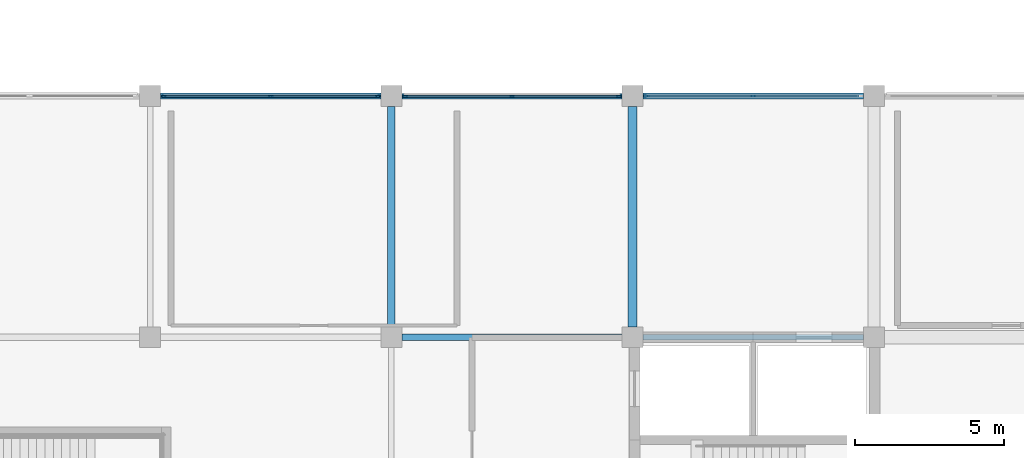
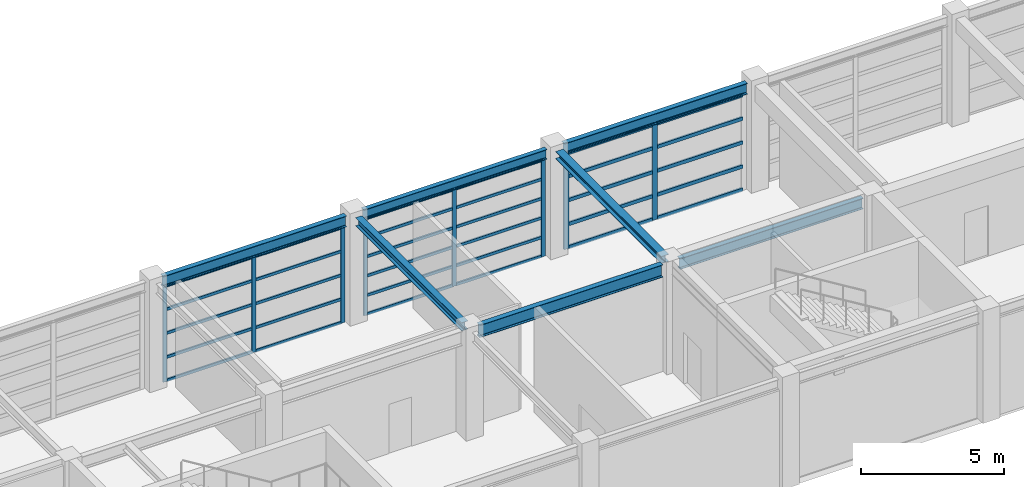
# One storey, part 28 of 58: 40 members, 7 beams, 3 elements without a shape of their own.
"""IFC4 building model written with IfcOpenShell, lengths in metres."""

from ifc_helpers import new_model, si_unit, direction, frame, origin, origin_2d, place, context, subcontext, project, spatial, rectangle, i_section, extrude, material, material_profile, profile_set, type_object, element, aggregate, save


model = new_model("IFC4")

# Units and contexts
model_context = context("Model", 3, precision=1e-05, world=origin(), true_north=direction((0.0, 1.0)))
body_context = subcontext(model_context, "Body", "Model", "MODEL_VIEW")
ifc_project = project(units=[si_unit("LENGTHUNIT", "METRE"), si_unit("AREAUNIT", "SQUARE_METRE"), si_unit("VOLUMEUNIT", "CUBIC_METRE"), si_unit("PLANEANGLEUNIT", "RADIAN"), si_unit("MASSUNIT", "GRAM", prefix="KILO")], contexts=[model_context])

# Site, building, storey
site_placement = place(None, origin())
site = spatial("IfcSite", under=ifc_project, at=site_placement, CompositionType="ELEMENT")
building_placement = place(site_placement, origin())
building = spatial("IfcBuilding", under=site, at=building_placement, Name="Parian Resonance Hall", CompositionType="ELEMENT")
storey_placement = place(building_placement, frame((0.0, 0.0, 10.199951171875)))
storey = spatial("IfcBuildingStorey", under=building, at=storey_placement, Name="L02", CompositionType="ELEMENT", Elevation=10.199951171875)

# Beams
ifc_material_1 = material(Name="Steel S355", Category="steel")
ifc_material_profile_1 = material_profile(ifc_material_1, i_section(OverallWidth=0.304931640625, OverallDepth=0.30810546875, WebThickness=0.010009765625, FlangeThickness=0.015380859375, FilletRadius=0.01513671875, at=origin_2d()), Name="W310x97")
ifc_profile_set_1 = profile_set([ifc_material_profile_1], Name="Steel S355")
beam_type_1 = type_object("IfcBeamType", Name="BM-W310x97", PredefinedType="BEAM", material=ifc_profile_set_1)
beam_1_placement = place(storey_placement, frame((56.699951171875, 81.35009765625, 4.406005859375), z_axis=(0.0, 1.0, 0.0), x_axis=(-1.0, 0.0, 0.0)))
element("IfcBeam", 1, at=beam_1_placement, inside=storey, type_object=beam_type_1, Name="GY-L02-0756", PredefinedType="BEAM", context=body_context, shape_type="SweptSolid", body=[
    extrude(i_section(OverallWidth=0.304931640625, OverallDepth=0.30810546875, WebThickness=0.010009765625, FlangeThickness=0.015380859375, FilletRadius=0.01513671875, at=origin_2d()), origin(), (0.0, 0.0, 1.0), 7.39990234375),
])
ifc_material_2 = material(Name="Steel S355", Category="steel")
ifc_material_profile_2 = material_profile(ifc_material_2, i_section(OverallWidth=0.2548828125, OverallDepth=0.35693359375, WebThickness=0.010498046875, FlangeThickness=0.018310546875, FilletRadius=0.01513671875, at=origin_2d()), Name="W360x101")
ifc_profile_set_2 = profile_set([ifc_material_profile_2], Name="Steel S355")
beam_type_2 = type_object("IfcBeamType", Name="BM-W360x101", PredefinedType="SPANDREL", material=ifc_profile_set_2)
beam_2_placement = place(storey_placement, frame((48.60009765625, 81.35009765625, 4.381591796875), z_axis=(0.0, 1.0, 0.0), x_axis=(-1.0, 0.0, 0.0)))
element("IfcBeam", 2, at=beam_2_placement, inside=storey, type_object=beam_type_2, Name="GY-L02-0754", PredefinedType="SPANDREL", context=body_context, shape_type="SweptSolid", body=[
    extrude(i_section(OverallWidth=0.2548828125, OverallDepth=0.35693359375, WebThickness=0.010498046875, FlangeThickness=0.018310546875, FilletRadius=0.01513671875, at=origin_2d()), origin(), (0.0, 0.0, 1.0), 7.39990234375),
])
ifc_material_3 = material(Name="Steel S355", Category="steel")
ifc_material_profile_3 = material_profile(ifc_material_3, i_section(OverallWidth=0.180908203125, OverallDepth=0.4169921875, WebThickness=0.010986328125, FlangeThickness=0.018310546875, FilletRadius=0.01513671875, at=origin_2d()), Name="W410x85")
ifc_profile_set_3 = profile_set([ifc_material_profile_3], Name="Steel S355")
beam_type_3 = type_object("IfcBeamType", Name="BM-W410x85", PredefinedType="SPANDREL", material=ifc_profile_set_3)
beam_3_placement = place(storey_placement, frame((48.949951171875, 89.10009765625, 4.3515625), z_axis=(1.0, 0.0, 0.0), x_axis=(0.0, 1.0, 0.0)))
element("IfcBeam", 3, at=beam_3_placement, inside=storey, type_object=beam_type_3, Name="GX-L02-0676", PredefinedType="SPANDREL", context=body_context, shape_type="SweptSolid", body=[
    extrude(i_section(OverallWidth=0.180908203125, OverallDepth=0.4169921875, WebThickness=0.010986328125, FlangeThickness=0.018310546875, FilletRadius=0.01513671875, at=origin_2d()), origin(), (0.0, 0.0, 1.0), 7.400146484375),
])
ifc_material_4 = material(Name="Steel S355", Category="steel")
ifc_material_profile_4 = material_profile(ifc_material_4, i_section(OverallWidth=0.194091796875, OverallDepth=0.468994140625, WebThickness=0.0126953125, FlangeThickness=0.0205078125, FilletRadius=0.01513671875, at=origin_2d()), Name="W460x106")
ifc_profile_set_4 = profile_set([ifc_material_profile_4], Name="Steel S355")
beam_type_4 = type_object("IfcBeamType", Name="BM-W460x106", PredefinedType="SPANDREL", material=ifc_profile_set_4)
for number, where, z_axis, x_axis, name in (
    (4, (40.85009765625, 89.10009765625, 4.325439453125), (1.0, 0.0, 0.0), (0.0, 1.0, 0.0), "GX-L02-0673"),
    (5, (57.050048828125, 89.10009765625, 4.325439453125), (1.0, 0.0, 0.0), (0.0, 1.0, 0.0), "GX-L02-0679"),
):
    element("IfcBeam", number, at=place(storey_placement, frame(where, z_axis=z_axis, x_axis=x_axis)), inside=storey, type_object=beam_type_4, Name=name, PredefinedType="SPANDREL", context=body_context, shape_type="SweptSolid", body=[
        extrude(i_section(OverallWidth=0.194091796875, OverallDepth=0.468994140625, WebThickness=0.0126953125, FlangeThickness=0.0205078125, FilletRadius=0.01513671875, at=origin_2d()), origin(), (0.0, 0.0, 1.0), 7.39990234375),
    ])
ifc_material_5 = material(Name="Steel S355", Category="steel")
ifc_material_profile_5 = material_profile(ifc_material_5, i_section(OverallWidth=0.19091796875, OverallDepth=0.4599609375, WebThickness=0.010009765625, FlangeThickness=0.01611328125, FilletRadius=0.01513671875, at=origin_2d()), Name="W460x82")
ifc_profile_set_5 = profile_set([ifc_material_profile_5], Name="Steel S355")
beam_type_5 = type_object("IfcBeamType", Name="BM-W460x82", PredefinedType="BEAM", material=ifc_profile_set_5)
beam_4_placement = place(storey_placement, frame((57.050048828125, 81.0, 4.330078125), z_axis=(1.0, 0.0, 0.0), x_axis=(0.0, 1.0, 0.0)))
element("IfcBeam", 6, at=beam_4_placement, inside=storey, type_object=beam_type_5, Name="GX-L02-0678", PredefinedType="BEAM", context=body_context, shape_type="SweptSolid", body=[
    extrude(i_section(OverallWidth=0.19091796875, OverallDepth=0.4599609375, WebThickness=0.010009765625, FlangeThickness=0.01611328125, FilletRadius=0.01513671875, at=origin_2d()), origin(), (0.0, 0.0, 1.0), 7.39990234375),
])
ifc_material_6 = material(Name="Steel S355", Category="steel")
ifc_material_profile_6 = material_profile(ifc_material_6, i_section(OverallWidth=0.208984375, OverallDepth=0.532958984375, WebThickness=0.01025390625, FlangeThickness=0.015625, FilletRadius=0.017822265625, at=origin_2d()), Name="W530x92")
ifc_profile_set_6 = profile_set([ifc_material_profile_6], Name="Steel S355")
beam_type_6 = type_object("IfcBeamType", Name="BM-W530x92", PredefinedType="BEAM", material=ifc_profile_set_6)
beam_5_placement = place(storey_placement, frame((48.949951171875, 81.0, 4.29345703125), z_axis=(1.0, 0.0, 0.0), x_axis=(0.0, 1.0, 0.0)))
element("IfcBeam", 7, at=beam_5_placement, inside=storey, type_object=beam_type_6, Name="GX-L02-0675", PredefinedType="BEAM", context=body_context, shape_type="SweptSolid", body=[
    extrude(i_section(OverallWidth=0.208984375, OverallDepth=0.532958984375, WebThickness=0.01025390625, FlangeThickness=0.015625, FilletRadius=0.017822265625, at=origin_2d()), origin(), (0.0, 0.0, 1.0), 7.400146484375),
])

# Curtain wall, members
ifc_material_7 = material(Name="Bronze-anodised aluminium frame", Category="aluminium")
curtain_wall_type_1 = type_object("IfcCurtainWallType", Name="CW-SYS-01", PredefinedType="NOTDEFINED", material=ifc_material_7)
curtain_wall_1_placement = place(storey_placement, origin())
curtain_wall_1 = element("IfcCurtainWall", 8, at=curtain_wall_1_placement, inside=storey, type_object=curtain_wall_type_1, Name="Curtain wall CW-L02-081", PredefinedType="NOTDEFINED")
ifc_material_8 = material(Name="Bronze-anodised aluminium frame", Category="aluminium")
ifc_material_profile_7 = material_profile(ifc_material_8, rectangle(XDim=0.06494140625, YDim=0.159912109375, at=origin_2d()), Name="CWM-65x160")
ifc_profile_set_7 = profile_set([ifc_material_profile_7], Name="Bronze-anodised aluminium frame")
member_type_1 = type_object("IfcMemberType", Name="CWM-65x160", PredefinedType="MULLION", material=ifc_profile_set_7)
member_1_placement = place(storey_placement, frame((40.96240234375, 89.10009765625, -0.008056640625), z_axis=(0.0, 0.0, 1.0), x_axis=(0.0, 1.0, 0.0)))
member_1 = element("IfcMember", 9, at=member_1_placement, type_object=member_type_1, Name="CW-01 mullion 1", PredefinedType="MULLION", context=body_context, shape_type="SweptSolid", body=[
    extrude(rectangle(XDim=0.06494140625, YDim=0.159912109375, at=origin_2d()), origin(), (0.0, 0.0, 1.0), 4.10302734375),
])
member_2_placement = place(storey_placement, frame((44.550048828125, 89.10009765625, -0.008056640625), z_axis=(0.0, 0.0, 1.0), x_axis=(0.0, 1.0, 0.0)))
member_2 = element("IfcMember", 10, at=member_2_placement, type_object=member_type_1, Name="CW-01 mullion 2", PredefinedType="MULLION", context=body_context, shape_type="SweptSolid", body=[
    extrude(rectangle(XDim=0.06494140625, YDim=0.159912109375, at=origin_2d()), origin(), (0.0, 0.0, 1.0), 4.10302734375),
])
member_3_placement = place(storey_placement, frame((48.137451171875, 89.10009765625, -0.008056640625), z_axis=(0.0, 0.0, 1.0), x_axis=(0.0, 1.0, 0.0)))
member_3 = element("IfcMember", 11, at=member_3_placement, type_object=member_type_1, Name="CW-01 mullion 3", PredefinedType="MULLION", context=body_context, shape_type="SweptSolid", body=[
    extrude(rectangle(XDim=0.06494140625, YDim=0.159912109375, at=origin_2d()), origin(), (0.0, 0.0, 1.0), 4.10302734375),
])

ifc_material_9 = material(Name="Bronze-anodised aluminium frame", Category="aluminium")
curtain_wall_type_2 = type_object("IfcCurtainWallType", Name="CW-SYS-02", PredefinedType="NOTDEFINED", material=ifc_material_9)
curtain_wall_2_placement = place(storey_placement, origin())
curtain_wall_2 = element("IfcCurtainWall", 12, at=curtain_wall_2_placement, inside=storey, type_object=curtain_wall_type_2, Name="Curtain wall CW-L02-085", PredefinedType="NOTDEFINED")
member_4_placement = place(storey_placement, frame((49.0625, 89.10009765625, -0.008056640625), z_axis=(0.0, 0.0, 1.0), x_axis=(0.0, 1.0, 0.0)))
member_4 = element("IfcMember", 13, at=member_4_placement, type_object=member_type_1, Name="CW-02 mullion 1", PredefinedType="MULLION", context=body_context, shape_type="SweptSolid", body=[
    extrude(rectangle(XDim=0.06494140625, YDim=0.159912109375, at=origin_2d()), origin(), (0.0, 0.0, 1.0), 4.155029296875),
])
member_5_placement = place(storey_placement, frame((52.64990234375, 89.10009765625, -0.008056640625), z_axis=(0.0, 0.0, 1.0), x_axis=(0.0, 1.0, 0.0)))
member_5 = element("IfcMember", 14, at=member_5_placement, type_object=member_type_1, Name="CW-02 mullion 2", PredefinedType="MULLION", context=body_context, shape_type="SweptSolid", body=[
    extrude(rectangle(XDim=0.06494140625, YDim=0.159912109375, at=origin_2d()), origin(), (0.0, 0.0, 1.0), 4.155029296875),
])
member_6_placement = place(storey_placement, frame((56.237548828125, 89.10009765625, -0.008056640625), z_axis=(0.0, 0.0, 1.0), x_axis=(0.0, 1.0, 0.0)))
member_6 = element("IfcMember", 15, at=member_6_placement, type_object=member_type_1, Name="CW-02 mullion 3", PredefinedType="MULLION", context=body_context, shape_type="SweptSolid", body=[
    extrude(rectangle(XDim=0.06494140625, YDim=0.159912109375, at=origin_2d()), origin(), (0.0, 0.0, 1.0), 4.155029296875),
])

ifc_material_10 = material(Name="Bronze-anodised aluminium frame", Category="aluminium")
curtain_wall_type_3 = type_object("IfcCurtainWallType", Name="CW-SYS-03", PredefinedType="NOTDEFINED", material=ifc_material_10)
curtain_wall_3_placement = place(storey_placement, origin())
curtain_wall_3 = element("IfcCurtainWall", 16, at=curtain_wall_3_placement, inside=storey, type_object=curtain_wall_type_3, Name="Curtain wall CW-L02-088", PredefinedType="NOTDEFINED")
ifc_material_11 = material(Name="Bronze-anodised aluminium frame", Category="aluminium")
ifc_material_profile_8 = material_profile(ifc_material_11, rectangle(XDim=0.074951171875, YDim=0.199951171875, at=origin_2d()), Name="CWM-75x200")
ifc_profile_set_8 = profile_set([ifc_material_profile_8], Name="Bronze-anodised aluminium frame")
member_type_2 = type_object("IfcMemberType", Name="CWM-75x200", PredefinedType="MULLION", material=ifc_profile_set_8)
member_7_placement = place(storey_placement, frame((57.16748046875, 89.10009765625, -0.008056640625), z_axis=(0.0, 0.0, 1.0), x_axis=(0.0, 1.0, 0.0)))
member_7 = element("IfcMember", 17, at=member_7_placement, type_object=member_type_2, Name="CW-03 mullion 1", PredefinedType="MULLION", context=body_context, shape_type="SweptSolid", body=[
    extrude(rectangle(XDim=0.074951171875, YDim=0.199951171875, at=origin_2d()), origin(), (0.0, 0.0, 1.0), 4.10302734375),
])
member_8_placement = place(storey_placement, frame((60.75, 89.10009765625, -0.008056640625), z_axis=(0.0, 0.0, 1.0), x_axis=(0.0, 1.0, 0.0)))
member_8 = element("IfcMember", 18, at=member_8_placement, type_object=member_type_2, Name="CW-03 mullion 2", PredefinedType="MULLION", context=body_context, shape_type="SweptSolid", body=[
    extrude(rectangle(XDim=0.074951171875, YDim=0.199951171875, at=origin_2d()), origin(), (0.0, 0.0, 1.0), 4.10302734375),
])

# Member
ifc_material_12 = material(Name="Bronze-anodised aluminium frame", Category="aluminium")
ifc_material_profile_9 = material_profile(ifc_material_12, rectangle(XDim=0.06494140625, YDim=0.1201171875, at=origin_2d()), Name="CWT-65x120")
ifc_profile_set_9 = profile_set([ifc_material_profile_9], Name="Bronze-anodised aluminium frame")
member_type_3 = type_object("IfcMemberType", Name="CWT-65x120", PredefinedType="USERDEFINED", material=ifc_profile_set_9)
member_9_placement = place(storey_placement, frame((40.9951171875, 89.10009765625, 0.024658203125), z_axis=(1.0, 0.0, 0.0), x_axis=(0.0, 1.0, 0.0)))
member_9 = element("IfcMember", 19, at=member_9_placement, type_object=member_type_3, Name="CW-01 transom 1.1", ObjectType="TRANSOM", PredefinedType="USERDEFINED", context=body_context, shape_type="SweptSolid", body=[
    extrude(rectangle(XDim=0.06494140625, YDim=0.1201171875, at=origin_2d()), origin(), (0.0, 0.0, 1.0), 3.5224609375),
])

member_10_placement = place(storey_placement, frame((40.9951171875, 89.10009765625, 1.021240234375), z_axis=(1.0, 0.0, 0.0), x_axis=(0.0, 1.0, 0.0)))
member_10 = element("IfcMember", 20, at=member_10_placement, type_object=member_type_3, Name="CW-01 transom 1.2", ObjectType="TRANSOM", PredefinedType="USERDEFINED", context=body_context, shape_type="SweptSolid", body=[
    extrude(rectangle(XDim=0.06494140625, YDim=0.1201171875, at=origin_2d()), origin(), (0.0, 0.0, 1.0), 3.5224609375),
])

member_11_placement = place(storey_placement, frame((40.9951171875, 89.10009765625, 2.04248046875), z_axis=(1.0, 0.0, 0.0), x_axis=(0.0, 1.0, 0.0)))
member_11 = element("IfcMember", 21, at=member_11_placement, type_object=member_type_3, Name="CW-01 transom 1.3", ObjectType="TRANSOM", PredefinedType="USERDEFINED", context=body_context, shape_type="SweptSolid", body=[
    extrude(rectangle(XDim=0.06494140625, YDim=0.1201171875, at=origin_2d()), origin(), (0.0, 0.0, 1.0), 3.5224609375),
])

member_12_placement = place(storey_placement, frame((40.9951171875, 89.10009765625, 3.063720703125), z_axis=(1.0, 0.0, 0.0), x_axis=(0.0, 1.0, 0.0)))
member_12 = element("IfcMember", 22, at=member_12_placement, type_object=member_type_3, Name="CW-01 transom 1.4", ObjectType="TRANSOM", PredefinedType="USERDEFINED", context=body_context, shape_type="SweptSolid", body=[
    extrude(rectangle(XDim=0.06494140625, YDim=0.1201171875, at=origin_2d()), origin(), (0.0, 0.0, 1.0), 3.5224609375),
])

member_13_placement = place(storey_placement, frame((40.9951171875, 89.10009765625, 4.0625), z_axis=(1.0, 0.0, 0.0), x_axis=(0.0, 1.0, 0.0)))
member_13 = element("IfcMember", 23, at=member_13_placement, type_object=member_type_3, Name="CW-01 transom 1.5", ObjectType="TRANSOM", PredefinedType="USERDEFINED", context=body_context, shape_type="SweptSolid", body=[
    extrude(rectangle(XDim=0.06494140625, YDim=0.1201171875, at=origin_2d()), origin(), (0.0, 0.0, 1.0), 3.5224609375),
])

member_14_placement = place(storey_placement, frame((44.58251953125, 89.10009765625, 0.024658203125), z_axis=(1.0, 0.0, 0.0), x_axis=(0.0, 1.0, 0.0)))
member_14 = element("IfcMember", 24, at=member_14_placement, type_object=member_type_3, Name="CW-01 transom 2.1", ObjectType="TRANSOM", PredefinedType="USERDEFINED", context=body_context, shape_type="SweptSolid", body=[
    extrude(rectangle(XDim=0.06494140625, YDim=0.1201171875, at=origin_2d()), origin(), (0.0, 0.0, 1.0), 3.5224609375),
])

member_15_placement = place(storey_placement, frame((44.58251953125, 89.10009765625, 1.021240234375), z_axis=(1.0, 0.0, 0.0), x_axis=(0.0, 1.0, 0.0)))
member_15 = element("IfcMember", 25, at=member_15_placement, type_object=member_type_3, Name="CW-01 transom 2.2", ObjectType="TRANSOM", PredefinedType="USERDEFINED", context=body_context, shape_type="SweptSolid", body=[
    extrude(rectangle(XDim=0.06494140625, YDim=0.1201171875, at=origin_2d()), origin(), (0.0, 0.0, 1.0), 3.5224609375),
])

member_16_placement = place(storey_placement, frame((44.58251953125, 89.10009765625, 2.04248046875), z_axis=(1.0, 0.0, 0.0), x_axis=(0.0, 1.0, 0.0)))
member_16 = element("IfcMember", 26, at=member_16_placement, type_object=member_type_3, Name="CW-01 transom 2.3", ObjectType="TRANSOM", PredefinedType="USERDEFINED", context=body_context, shape_type="SweptSolid", body=[
    extrude(rectangle(XDim=0.06494140625, YDim=0.1201171875, at=origin_2d()), origin(), (0.0, 0.0, 1.0), 3.5224609375),
])

member_17_placement = place(storey_placement, frame((44.58251953125, 89.10009765625, 3.063720703125), z_axis=(1.0, 0.0, 0.0), x_axis=(0.0, 1.0, 0.0)))
member_17 = element("IfcMember", 27, at=member_17_placement, type_object=member_type_3, Name="CW-01 transom 2.4", ObjectType="TRANSOM", PredefinedType="USERDEFINED", context=body_context, shape_type="SweptSolid", body=[
    extrude(rectangle(XDim=0.06494140625, YDim=0.1201171875, at=origin_2d()), origin(), (0.0, 0.0, 1.0), 3.5224609375),
])

member_18_placement = place(storey_placement, frame((44.58251953125, 89.10009765625, 4.0625), z_axis=(1.0, 0.0, 0.0), x_axis=(0.0, 1.0, 0.0)))
member_18 = element("IfcMember", 28, at=member_18_placement, type_object=member_type_3, Name="CW-01 transom 2.5", ObjectType="TRANSOM", PredefinedType="USERDEFINED", context=body_context, shape_type="SweptSolid", body=[
    extrude(rectangle(XDim=0.06494140625, YDim=0.1201171875, at=origin_2d()), origin(), (0.0, 0.0, 1.0), 3.5224609375),
])

aggregate(curtain_wall_1, [member_1, member_2, member_3, member_9, member_10, member_11, member_12, member_13, member_14, member_15, member_16, member_17, member_18])

member_19_placement = place(storey_placement, frame((49.094970703125, 89.10009765625, 0.024658203125), z_axis=(1.0, 0.0, 0.0), x_axis=(0.0, 1.0, 0.0)))
member_19 = element("IfcMember", 29, at=member_19_placement, type_object=member_type_3, Name="CW-02 transom 1.1", ObjectType="TRANSOM", PredefinedType="USERDEFINED", context=body_context, shape_type="SweptSolid", body=[
    extrude(rectangle(XDim=0.06494140625, YDim=0.1201171875, at=origin_2d()), origin(), (0.0, 0.0, 1.0), 3.5224609375),
])

member_20_placement = place(storey_placement, frame((49.094970703125, 89.10009765625, 0.827392578125), z_axis=(1.0, 0.0, 0.0), x_axis=(0.0, 1.0, 0.0)))
member_20 = element("IfcMember", 30, at=member_20_placement, type_object=member_type_3, Name="CW-02 transom 1.2", ObjectType="TRANSOM", PredefinedType="USERDEFINED", context=body_context, shape_type="SweptSolid", body=[
    extrude(rectangle(XDim=0.06494140625, YDim=0.1201171875, at=origin_2d()), origin(), (0.0, 0.0, 1.0), 3.5224609375),
])

member_21_placement = place(storey_placement, frame((49.094970703125, 89.10009765625, 1.65478515625), z_axis=(1.0, 0.0, 0.0), x_axis=(0.0, 1.0, 0.0)))
member_21 = element("IfcMember", 31, at=member_21_placement, type_object=member_type_3, Name="CW-02 transom 1.3", ObjectType="TRANSOM", PredefinedType="USERDEFINED", context=body_context, shape_type="SweptSolid", body=[
    extrude(rectangle(XDim=0.06494140625, YDim=0.1201171875, at=origin_2d()), origin(), (0.0, 0.0, 1.0), 3.5224609375),
])

member_22_placement = place(storey_placement, frame((49.094970703125, 89.10009765625, 2.482177734375), z_axis=(1.0, 0.0, 0.0), x_axis=(0.0, 1.0, 0.0)))
member_22 = element("IfcMember", 32, at=member_22_placement, type_object=member_type_3, Name="CW-02 transom 1.4", ObjectType="TRANSOM", PredefinedType="USERDEFINED", context=body_context, shape_type="SweptSolid", body=[
    extrude(rectangle(XDim=0.06494140625, YDim=0.1201171875, at=origin_2d()), origin(), (0.0, 0.0, 1.0), 3.5224609375),
])

member_23_placement = place(storey_placement, frame((49.094970703125, 89.10009765625, 3.3095703125), z_axis=(1.0, 0.0, 0.0), x_axis=(0.0, 1.0, 0.0)))
member_23 = element("IfcMember", 33, at=member_23_placement, type_object=member_type_3, Name="CW-02 transom 1.5", ObjectType="TRANSOM", PredefinedType="USERDEFINED", context=body_context, shape_type="SweptSolid", body=[
    extrude(rectangle(XDim=0.06494140625, YDim=0.1201171875, at=origin_2d()), origin(), (0.0, 0.0, 1.0), 3.5224609375),
])

member_24_placement = place(storey_placement, frame((49.094970703125, 89.10009765625, 4.114501953125), z_axis=(1.0, 0.0, 0.0), x_axis=(0.0, 1.0, 0.0)))
member_24 = element("IfcMember", 34, at=member_24_placement, type_object=member_type_3, Name="CW-02 transom 1.6", ObjectType="TRANSOM", PredefinedType="USERDEFINED", context=body_context, shape_type="SweptSolid", body=[
    extrude(rectangle(XDim=0.06494140625, YDim=0.1201171875, at=origin_2d()), origin(), (0.0, 0.0, 1.0), 3.5224609375),
])

member_25_placement = place(storey_placement, frame((52.6826171875, 89.10009765625, 0.024658203125), z_axis=(1.0, 0.0, 0.0), x_axis=(0.0, 1.0, 0.0)))
member_25 = element("IfcMember", 35, at=member_25_placement, type_object=member_type_3, Name="CW-02 transom 2.1", ObjectType="TRANSOM", PredefinedType="USERDEFINED", context=body_context, shape_type="SweptSolid", body=[
    extrude(rectangle(XDim=0.06494140625, YDim=0.1201171875, at=origin_2d()), origin(), (0.0, 0.0, 1.0), 3.5224609375),
])

member_26_placement = place(storey_placement, frame((52.6826171875, 89.10009765625, 0.827392578125), z_axis=(1.0, 0.0, 0.0), x_axis=(0.0, 1.0, 0.0)))
member_26 = element("IfcMember", 36, at=member_26_placement, type_object=member_type_3, Name="CW-02 transom 2.2", ObjectType="TRANSOM", PredefinedType="USERDEFINED", context=body_context, shape_type="SweptSolid", body=[
    extrude(rectangle(XDim=0.06494140625, YDim=0.1201171875, at=origin_2d()), origin(), (0.0, 0.0, 1.0), 3.5224609375),
])

member_27_placement = place(storey_placement, frame((52.6826171875, 89.10009765625, 1.65478515625), z_axis=(1.0, 0.0, 0.0), x_axis=(0.0, 1.0, 0.0)))
member_27 = element("IfcMember", 37, at=member_27_placement, type_object=member_type_3, Name="CW-02 transom 2.3", ObjectType="TRANSOM", PredefinedType="USERDEFINED", context=body_context, shape_type="SweptSolid", body=[
    extrude(rectangle(XDim=0.06494140625, YDim=0.1201171875, at=origin_2d()), origin(), (0.0, 0.0, 1.0), 3.5224609375),
])

member_28_placement = place(storey_placement, frame((52.6826171875, 89.10009765625, 2.482177734375), z_axis=(1.0, 0.0, 0.0), x_axis=(0.0, 1.0, 0.0)))
member_28 = element("IfcMember", 38, at=member_28_placement, type_object=member_type_3, Name="CW-02 transom 2.4", ObjectType="TRANSOM", PredefinedType="USERDEFINED", context=body_context, shape_type="SweptSolid", body=[
    extrude(rectangle(XDim=0.06494140625, YDim=0.1201171875, at=origin_2d()), origin(), (0.0, 0.0, 1.0), 3.5224609375),
])

member_29_placement = place(storey_placement, frame((52.6826171875, 89.10009765625, 3.3095703125), z_axis=(1.0, 0.0, 0.0), x_axis=(0.0, 1.0, 0.0)))
member_29 = element("IfcMember", 39, at=member_29_placement, type_object=member_type_3, Name="CW-02 transom 2.5", ObjectType="TRANSOM", PredefinedType="USERDEFINED", context=body_context, shape_type="SweptSolid", body=[
    extrude(rectangle(XDim=0.06494140625, YDim=0.1201171875, at=origin_2d()), origin(), (0.0, 0.0, 1.0), 3.5224609375),
])

member_30_placement = place(storey_placement, frame((52.6826171875, 89.10009765625, 4.114501953125), z_axis=(1.0, 0.0, 0.0), x_axis=(0.0, 1.0, 0.0)))
member_30 = element("IfcMember", 40, at=member_30_placement, type_object=member_type_3, Name="CW-02 transom 2.6", ObjectType="TRANSOM", PredefinedType="USERDEFINED", context=body_context, shape_type="SweptSolid", body=[
    extrude(rectangle(XDim=0.06494140625, YDim=0.1201171875, at=origin_2d()), origin(), (0.0, 0.0, 1.0), 3.5224609375),
])

aggregate(curtain_wall_2, [member_4, member_5, member_6, member_19, member_20, member_21, member_22, member_23, member_24, member_25, member_26, member_27, member_28, member_29, member_30])

ifc_material_13 = material(Name="Bronze-anodised aluminium frame", Category="aluminium")
ifc_material_profile_10 = material_profile(ifc_material_13, rectangle(XDim=0.074951171875, YDim=0.14990234375, at=origin_2d()), Name="CWT-75x150")
ifc_profile_set_10 = profile_set([ifc_material_profile_10], Name="Bronze-anodised aluminium frame")
member_type_4 = type_object("IfcMemberType", Name="CWT-75x150", PredefinedType="USERDEFINED", material=ifc_profile_set_10)
member_31_placement = place(storey_placement, frame((57.205078125, 89.10009765625, 0.029541015625), z_axis=(1.0, 0.0, 0.0), x_axis=(0.0, 1.0, 0.0)))
member_31 = element("IfcMember", 41, at=member_31_placement, type_object=member_type_4, Name="CW-03 transom 1.1", ObjectType="TRANSOM", PredefinedType="USERDEFINED", context=body_context, shape_type="SweptSolid", body=[
    extrude(rectangle(XDim=0.074951171875, YDim=0.14990234375, at=origin_2d()), origin(), (0.0, 0.0, 1.0), 3.50732421875),
])

member_32_placement = place(storey_placement, frame((57.205078125, 89.10009765625, 1.021240234375), z_axis=(1.0, 0.0, 0.0), x_axis=(0.0, 1.0, 0.0)))
member_32 = element("IfcMember", 42, at=member_32_placement, type_object=member_type_4, Name="CW-03 transom 1.2", ObjectType="TRANSOM", PredefinedType="USERDEFINED", context=body_context, shape_type="SweptSolid", body=[
    extrude(rectangle(XDim=0.074951171875, YDim=0.14990234375, at=origin_2d()), origin(), (0.0, 0.0, 1.0), 3.50732421875),
])

member_33_placement = place(storey_placement, frame((57.205078125, 89.10009765625, 2.04248046875), z_axis=(1.0, 0.0, 0.0), x_axis=(0.0, 1.0, 0.0)))
member_33 = element("IfcMember", 43, at=member_33_placement, type_object=member_type_4, Name="CW-03 transom 1.3", ObjectType="TRANSOM", PredefinedType="USERDEFINED", context=body_context, shape_type="SweptSolid", body=[
    extrude(rectangle(XDim=0.074951171875, YDim=0.14990234375, at=origin_2d()), origin(), (0.0, 0.0, 1.0), 3.50732421875),
])

member_34_placement = place(storey_placement, frame((57.205078125, 89.10009765625, 3.063720703125), z_axis=(1.0, 0.0, 0.0), x_axis=(0.0, 1.0, 0.0)))
member_34 = element("IfcMember", 44, at=member_34_placement, type_object=member_type_4, Name="CW-03 transom 1.4", ObjectType="TRANSOM", PredefinedType="USERDEFINED", context=body_context, shape_type="SweptSolid", body=[
    extrude(rectangle(XDim=0.074951171875, YDim=0.14990234375, at=origin_2d()), origin(), (0.0, 0.0, 1.0), 3.50732421875),
])

member_35_placement = place(storey_placement, frame((57.205078125, 89.10009765625, 4.0576171875), z_axis=(1.0, 0.0, 0.0), x_axis=(0.0, 1.0, 0.0)))
member_35 = element("IfcMember", 45, at=member_35_placement, type_object=member_type_4, Name="CW-03 transom 1.5", ObjectType="TRANSOM", PredefinedType="USERDEFINED", context=body_context, shape_type="SweptSolid", body=[
    extrude(rectangle(XDim=0.074951171875, YDim=0.14990234375, at=origin_2d()), origin(), (0.0, 0.0, 1.0), 3.50732421875),
])

member_36_placement = place(storey_placement, frame((60.78759765625, 89.10009765625, 0.029541015625), z_axis=(1.0, 0.0, 0.0), x_axis=(0.0, 1.0, 0.0)))
member_36 = element("IfcMember", 46, at=member_36_placement, type_object=member_type_4, Name="CW-03 transom 2.1", ObjectType="TRANSOM", PredefinedType="USERDEFINED", context=body_context, shape_type="SweptSolid", body=[
    extrude(rectangle(XDim=0.074951171875, YDim=0.14990234375, at=origin_2d()), origin(), (0.0, 0.0, 1.0), 3.50732421875),
])

member_37_placement = place(storey_placement, frame((60.78759765625, 89.10009765625, 1.021240234375), z_axis=(1.0, 0.0, 0.0), x_axis=(0.0, 1.0, 0.0)))
member_37 = element("IfcMember", 47, at=member_37_placement, type_object=member_type_4, Name="CW-03 transom 2.2", ObjectType="TRANSOM", PredefinedType="USERDEFINED", context=body_context, shape_type="SweptSolid", body=[
    extrude(rectangle(XDim=0.074951171875, YDim=0.14990234375, at=origin_2d()), origin(), (0.0, 0.0, 1.0), 3.50732421875),
])

member_38_placement = place(storey_placement, frame((60.78759765625, 89.10009765625, 2.04248046875), z_axis=(1.0, 0.0, 0.0), x_axis=(0.0, 1.0, 0.0)))
member_38 = element("IfcMember", 48, at=member_38_placement, type_object=member_type_4, Name="CW-03 transom 2.3", ObjectType="TRANSOM", PredefinedType="USERDEFINED", context=body_context, shape_type="SweptSolid", body=[
    extrude(rectangle(XDim=0.074951171875, YDim=0.14990234375, at=origin_2d()), origin(), (0.0, 0.0, 1.0), 3.50732421875),
])

member_39_placement = place(storey_placement, frame((60.78759765625, 89.10009765625, 3.063720703125), z_axis=(1.0, 0.0, 0.0), x_axis=(0.0, 1.0, 0.0)))
member_39 = element("IfcMember", 49, at=member_39_placement, type_object=member_type_4, Name="CW-03 transom 2.4", ObjectType="TRANSOM", PredefinedType="USERDEFINED", context=body_context, shape_type="SweptSolid", body=[
    extrude(rectangle(XDim=0.074951171875, YDim=0.14990234375, at=origin_2d()), origin(), (0.0, 0.0, 1.0), 3.50732421875),
])

member_40_placement = place(storey_placement, frame((60.78759765625, 89.10009765625, 4.0576171875), z_axis=(1.0, 0.0, 0.0), x_axis=(0.0, 1.0, 0.0)))
member_40 = element("IfcMember", 50, at=member_40_placement, type_object=member_type_4, Name="CW-03 transom 2.5", ObjectType="TRANSOM", PredefinedType="USERDEFINED", context=body_context, shape_type="SweptSolid", body=[
    extrude(rectangle(XDim=0.074951171875, YDim=0.14990234375, at=origin_2d()), origin(), (0.0, 0.0, 1.0), 3.50732421875),
])

aggregate(curtain_wall_3, [member_7, member_8, member_31, member_32, member_33, member_34, member_35, member_36, member_37, member_38, member_39, member_40])

save(model, "model.ifc")
